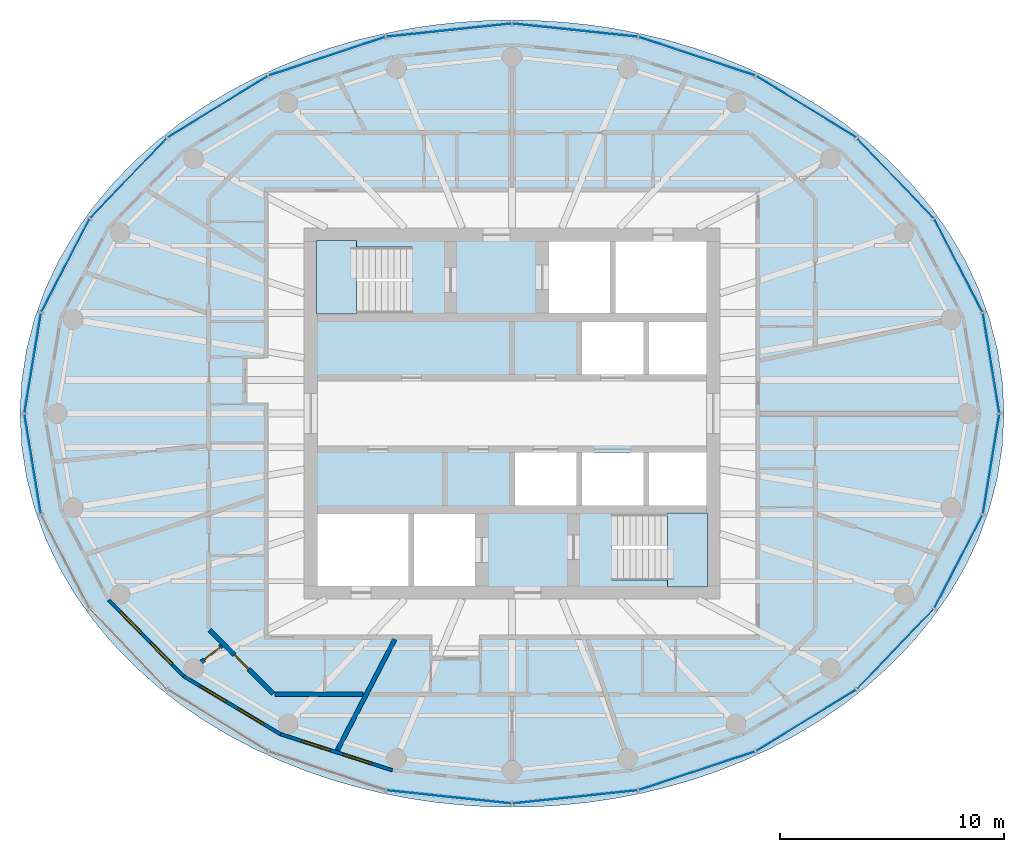
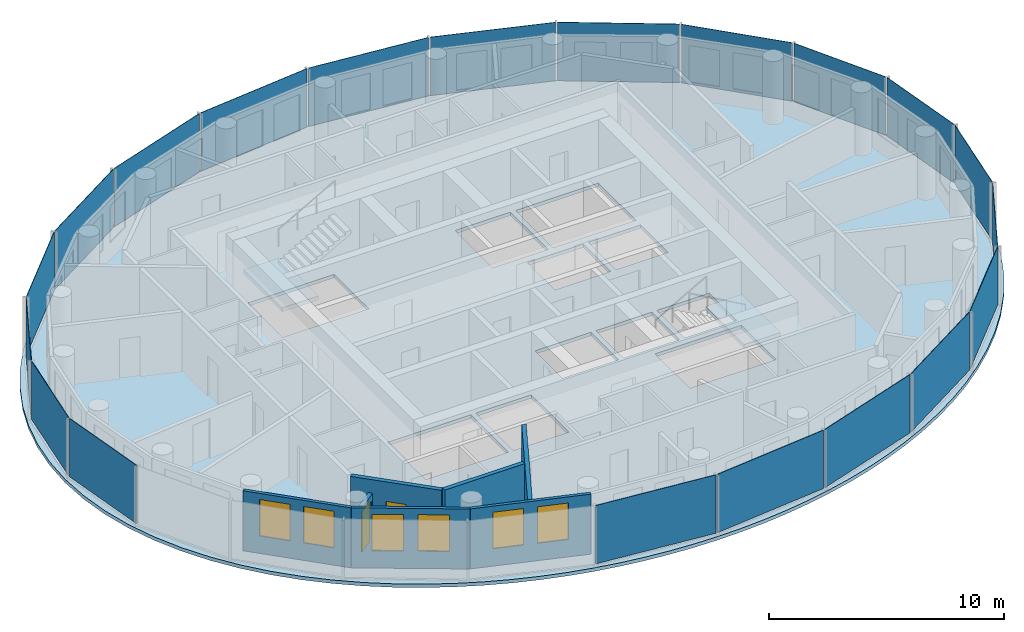
# One storey, part 4 of 11: 20 plates, 7 walls, 6 windows, 3 slabs, 2 doors, 8 openings, 6 elements without a shape of their own.
"""IFC4 building model written with IfcOpenShell, lengths in metres."""

from ifc_helpers import new_model, si_unit, direction, frame, frame_2d, origin, origin_2d, place, context, subcontext, project, spatial, polyline, rectangle, outline, extrude, material, layer, layer_set, type_object, element, fill, aggregate, save


model = new_model("IFC4")

# Units and contexts
model_context = context("Model", 3, precision=1e-05, world=origin(), true_north=direction((0.0, 1.0)))
body_context = subcontext(model_context, "Body", "Model", "MODEL_VIEW")
ifc_project = project(units=[si_unit("LENGTHUNIT", "METRE"), si_unit("AREAUNIT", "SQUARE_METRE"), si_unit("VOLUMEUNIT", "CUBIC_METRE"), si_unit("PLANEANGLEUNIT", "RADIAN"), si_unit("MASSUNIT", "GRAM", prefix="KILO")], contexts=[model_context])

# Site, building, storey
site_placement = place(None, origin())
site = spatial("IfcSite", under=ifc_project, at=site_placement, CompositionType="ELEMENT")
building_placement = place(site_placement, origin())
building = spatial("IfcBuilding", under=site, at=building_placement, Name="Hankou Lantern Tower", CompositionType="ELEMENT")
storey_placement = place(building_placement, frame((0.0, 0.0, 202.800048828125)))
storey = spatial("IfcBuildingStorey", under=building, at=storey_placement, Name="L54", CompositionType="ELEMENT", Elevation=202.800048828125)

# Curtain wall, plates
ifc_material_1 = material(Name="Glass, dark grey tinted laminated", Category="glass")
curtain_wall_type = type_object("IfcCurtainWallType", Name="CWD OUTER SKIN SUITE", PredefinedType="USERDEFINED", material=ifc_material_1)
curtain_wall_1_placement = place(storey_placement, origin())
curtain_wall_1 = element("IfcCurtainWall", 1, at=curtain_wall_1_placement, inside=storey, type_object=curtain_wall_type, Name="CWD L54 OS1", ObjectType="OUTER SKIN SUITE", PredefinedType="USERDEFINED")
ifc_material_2 = material(Name="Glass, dark grey tinted laminated", Category="glass")
ifc_layer_1 = layer(ifc_material_2, 0.02392578125)
ifc_layer_set_1 = layer_set([ifc_layer_1], Name="Glass, dark grey tinted laminated")
plate_type = type_object("IfcPlateType", Name="PN1 OUTER SKIN GLASS PANEL", PredefinedType="CURTAIN_PANEL", material=ifc_layer_set_1)
plate_1_placement = place(storey_placement, frame((21.4287109375, 2.2568359375, 0.079833984375), z_axis=(0.0, 0.0, 1.0), x_axis=(-0.162381515188, 0.986728049427, 0.0)))
plate_1 = element("IfcPlate", 2, at=plate_1_placement, type_object=plate_type, Name="CWD glass panel 1", PredefinedType="CURTAIN_PANEL", context=body_context, shape_type="SweptSolid", body=[
    extrude(rectangle(XDim=4.49462890625, YDim=0.02392578125, at=origin_2d()), origin(), (0.0, 0.0, 1.0), 3.0400390625),
])
plate_2_placement = place(storey_placement, frame((19.96826171875, 6.616943359375, 0.079833984375), z_axis=(0.0, 0.0, 1.0), x_axis=(-0.459791091957, 0.888027112062, 0.0)))
plate_2 = element("IfcPlate", 3, at=plate_2_placement, type_object=plate_type, Name="CWD glass panel 2", PredefinedType="CURTAIN_PANEL", context=body_context, shape_type="SweptSolid", body=[
    extrude(rectangle(XDim=4.656494140625, YDim=0.02392578125, at=origin_2d()), origin(), (0.0, 0.0, 1.0), 3.0400390625),
])
plate_3_placement = place(storey_placement, frame((17.147216796875, 10.52587890625, 0.079833984375), z_axis=(0.0, 0.0, 1.0), x_axis=(-0.692215809936, 0.721690565599, 0.0)))
plate_3 = element("IfcPlate", 4, at=plate_3_placement, type_object=plate_type, Name="CWD glass panel 3", PredefinedType="CURTAIN_PANEL", context=body_context, shape_type="SweptSolid", body=[
    extrude(rectangle(XDim=4.9248046875, YDim=0.02392578125, at=origin_2d()), origin(), (0.0, 0.0, 1.0), 3.0400390625),
])
plate_4_placement = place(storey_placement, frame((13.157470703125, 13.7177734375, 0.079833984375), z_axis=(0.0, 0.0, 1.0), x_axis=(-0.852237151549, 0.523155653242, 0.0)))
plate_4 = element("IfcPlate", 5, at=plate_4_placement, type_object=plate_type, Name="CWD glass panel 4", PredefinedType="CURTAIN_PANEL", context=body_context, shape_type="SweptSolid", body=[
    extrude(rectangle(XDim=5.2177734375, YDim=0.02392578125, at=origin_2d()), origin(), (0.0, 0.0, 1.0), 3.0400390625),
])
plate_5_placement = place(storey_placement, frame((8.271240234375, 15.974609375, 0.079833984375), z_axis=(0.0, 0.0, 1.0), x_axis=(-0.949240677293, 0.31455068999, 0.0)))
plate_5 = element("IfcPlate", 6, at=plate_5_placement, type_object=plate_type, Name="CWD glass panel 5", PredefinedType="CURTAIN_PANEL", context=body_context, shape_type="SweptSolid", body=[
    extrude(rectangle(XDim=5.458984375, YDim=0.02392578125, at=origin_2d()), origin(), (0.0, 0.0, 1.0), 3.0400390625),
])
plate_6_placement = place(storey_placement, frame((2.821044921875, 17.142822265625, 0.079833984375), z_axis=(0.0, 0.0, 1.0), x_axis=(-0.994499359107, 0.104742659579, 0.0)))
plate_6 = element("IfcPlate", 7, at=plate_6_placement, type_object=plate_type, Name="CWD glass panel 6", PredefinedType="CURTAIN_PANEL", context=body_context, shape_type="SweptSolid", body=[
    extrude(rectangle(XDim=5.593505859375, YDim=0.02392578125, at=origin_2d()), origin(), (0.0, 0.0, 1.0), 3.0400390625),
])
aggregate(curtain_wall_1, [plate_1, plate_2, plate_3, plate_4, plate_5, plate_6])

curtain_wall_2_placement = place(storey_placement, origin())
curtain_wall_2 = element("IfcCurtainWall", 8, at=curtain_wall_2_placement, inside=storey, type_object=curtain_wall_type, Name="CWD L54 OS2", ObjectType="OUTER SKIN SUITE", PredefinedType="USERDEFINED")
plate_7_placement = place(storey_placement, frame((-2.821044921875, 17.142822265625, 0.079833984375), z_axis=(0.0, 0.0, 1.0), x_axis=(-0.994499359107, -0.104742659579, 0.0)))
plate_7 = element("IfcPlate", 9, at=plate_7_placement, type_object=plate_type, Name="CWD glass panel 1", PredefinedType="CURTAIN_PANEL", context=body_context, shape_type="SweptSolid", body=[
    extrude(rectangle(XDim=5.593505859375, YDim=0.02392578125, at=origin_2d()), origin(), (0.0, 0.0, 1.0), 3.0400390625),
])
plate_8_placement = place(storey_placement, frame((-8.271240234375, 15.974609375, 0.079833984375), z_axis=(0.0, 0.0, 1.0), x_axis=(-0.949240677293, -0.31455068999, 0.0)))
plate_8 = element("IfcPlate", 10, at=plate_8_placement, type_object=plate_type, Name="CWD glass panel 2", PredefinedType="CURTAIN_PANEL", context=body_context, shape_type="SweptSolid", body=[
    extrude(rectangle(XDim=5.458984375, YDim=0.02392578125, at=origin_2d()), origin(), (0.0, 0.0, 1.0), 3.0400390625),
])
plate_9_placement = place(storey_placement, frame((-13.157470703125, 13.7177734375, 0.079833984375), z_axis=(0.0, 0.0, 1.0), x_axis=(-0.852237151549, -0.523155653242, 0.0)))
plate_9 = element("IfcPlate", 11, at=plate_9_placement, type_object=plate_type, Name="CWD glass panel 3", PredefinedType="CURTAIN_PANEL", context=body_context, shape_type="SweptSolid", body=[
    extrude(rectangle(XDim=5.2177734375, YDim=0.02392578125, at=origin_2d()), origin(), (0.0, 0.0, 1.0), 3.0400390625),
])
plate_10_placement = place(storey_placement, frame((-17.147216796875, 10.52587890625, 0.079833984375), z_axis=(0.0, 0.0, 1.0), x_axis=(-0.692215809936, -0.721690565599, 0.0)))
plate_10 = element("IfcPlate", 12, at=plate_10_placement, type_object=plate_type, Name="CWD glass panel 4", PredefinedType="CURTAIN_PANEL", context=body_context, shape_type="SweptSolid", body=[
    extrude(rectangle(XDim=4.9248046875, YDim=0.02392578125, at=origin_2d()), origin(), (0.0, 0.0, 1.0), 3.0400390625),
])
plate_11_placement = place(storey_placement, frame((-19.96826171875, 6.616943359375, 0.079833984375), z_axis=(0.0, 0.0, 1.0), x_axis=(-0.459791091957, -0.888027112062, 0.0)))
plate_11 = element("IfcPlate", 13, at=plate_11_placement, type_object=plate_type, Name="CWD glass panel 5", PredefinedType="CURTAIN_PANEL", context=body_context, shape_type="SweptSolid", body=[
    extrude(rectangle(XDim=4.656494140625, YDim=0.02392578125, at=origin_2d()), origin(), (0.0, 0.0, 1.0), 3.0400390625),
])
plate_12_placement = place(storey_placement, frame((-21.4287109375, 2.2568359375, 0.079833984375), z_axis=(0.0, 0.0, 1.0), x_axis=(-0.162381515188, -0.986728049427, 0.0)))
plate_12 = element("IfcPlate", 14, at=plate_12_placement, type_object=plate_type, Name="CWD glass panel 6", PredefinedType="CURTAIN_PANEL", context=body_context, shape_type="SweptSolid", body=[
    extrude(rectangle(XDim=4.49462890625, YDim=0.02392578125, at=origin_2d()), origin(), (0.0, 0.0, 1.0), 3.0400390625),
])
aggregate(curtain_wall_2, [plate_7, plate_8, plate_9, plate_10, plate_11, plate_12])

curtain_wall_3_placement = place(storey_placement, origin())
curtain_wall_3 = element("IfcCurtainWall", 15, at=curtain_wall_3_placement, inside=storey, type_object=curtain_wall_type, Name="CWD L54 OS3", ObjectType="OUTER SKIN SUITE", PredefinedType="USERDEFINED")
plate_13_placement = place(storey_placement, frame((-21.4287109375, -2.2568359375, 0.079833984375), z_axis=(0.0, 0.0, 1.0), x_axis=(0.162381515188, -0.986728049427, 0.0)))
plate_13 = element("IfcPlate", 16, at=plate_13_placement, type_object=plate_type, Name="CWD glass panel 1", PredefinedType="CURTAIN_PANEL", context=body_context, shape_type="SweptSolid", body=[
    extrude(rectangle(XDim=4.49462890625, YDim=0.02392578125, at=origin_2d()), origin(), (0.0, 0.0, 1.0), 3.0400390625),
])
plate_14_placement = place(storey_placement, frame((-2.821044921875, -17.142822265625, 0.079833984375), z_axis=(0.0, 0.0, 1.0), x_axis=(0.994499359107, -0.104742659579, 0.0)))
plate_14 = element("IfcPlate", 17, at=plate_14_placement, type_object=plate_type, Name="CWD glass panel 6", PredefinedType="CURTAIN_PANEL", context=body_context, shape_type="SweptSolid", body=[
    extrude(rectangle(XDim=5.593505859375, YDim=0.02392578125, at=origin_2d()), origin(), (0.0, 0.0, 1.0), 3.0400390625),
])
aggregate(curtain_wall_3, [plate_13, plate_14])

curtain_wall_4_placement = place(storey_placement, origin())
curtain_wall_4 = element("IfcCurtainWall", 18, at=curtain_wall_4_placement, inside=storey, type_object=curtain_wall_type, Name="CWD L54 OS4", ObjectType="OUTER SKIN SUITE", PredefinedType="USERDEFINED")
plate_15_placement = place(storey_placement, frame((2.821044921875, -17.142822265625, 0.079833984375), z_axis=(0.0, 0.0, 1.0), x_axis=(0.994499359107, 0.104742659579, 0.0)))
plate_15 = element("IfcPlate", 19, at=plate_15_placement, type_object=plate_type, Name="CWD glass panel 1", PredefinedType="CURTAIN_PANEL", context=body_context, shape_type="SweptSolid", body=[
    extrude(rectangle(XDim=5.593505859375, YDim=0.02392578125, at=origin_2d()), origin(), (0.0, 0.0, 1.0), 3.0400390625),
])
plate_16_placement = place(storey_placement, frame((8.271240234375, -15.974609375, 0.079833984375), z_axis=(0.0, 0.0, 1.0), x_axis=(0.949240677293, 0.31455068999, 0.0)))
plate_16 = element("IfcPlate", 20, at=plate_16_placement, type_object=plate_type, Name="CWD glass panel 2", PredefinedType="CURTAIN_PANEL", context=body_context, shape_type="SweptSolid", body=[
    extrude(rectangle(XDim=5.458984375, YDim=0.02392578125, at=origin_2d()), origin(), (0.0, 0.0, 1.0), 3.0400390625),
])
plate_17_placement = place(storey_placement, frame((13.157470703125, -13.7177734375, 0.079833984375), z_axis=(0.0, 0.0, 1.0), x_axis=(0.852237151549, 0.523155653242, 0.0)))
plate_17 = element("IfcPlate", 21, at=plate_17_placement, type_object=plate_type, Name="CWD glass panel 3", PredefinedType="CURTAIN_PANEL", context=body_context, shape_type="SweptSolid", body=[
    extrude(rectangle(XDim=5.2177734375, YDim=0.02392578125, at=origin_2d()), origin(), (0.0, 0.0, 1.0), 3.0400390625),
])
plate_18_placement = place(storey_placement, frame((17.147216796875, -10.52587890625, 0.079833984375), z_axis=(0.0, 0.0, 1.0), x_axis=(0.692215809936, 0.721690565599, 0.0)))
plate_18 = element("IfcPlate", 22, at=plate_18_placement, type_object=plate_type, Name="CWD glass panel 4", PredefinedType="CURTAIN_PANEL", context=body_context, shape_type="SweptSolid", body=[
    extrude(rectangle(XDim=4.9248046875, YDim=0.02392578125, at=origin_2d()), origin(), (0.0, 0.0, 1.0), 3.0400390625),
])
plate_19_placement = place(storey_placement, frame((19.96826171875, -6.616943359375, 0.079833984375), z_axis=(0.0, 0.0, 1.0), x_axis=(0.459791091957, 0.888027112062, 0.0)))
plate_19 = element("IfcPlate", 23, at=plate_19_placement, type_object=plate_type, Name="CWD glass panel 5", PredefinedType="CURTAIN_PANEL", context=body_context, shape_type="SweptSolid", body=[
    extrude(rectangle(XDim=4.656494140625, YDim=0.02392578125, at=origin_2d()), origin(), (0.0, 0.0, 1.0), 3.0400390625),
])
plate_20_placement = place(storey_placement, frame((21.4287109375, -2.2568359375, 0.079833984375), z_axis=(0.0, 0.0, 1.0), x_axis=(0.162381515188, 0.986728049427, 0.0)))
plate_20 = element("IfcPlate", 24, at=plate_20_placement, type_object=plate_type, Name="CWD glass panel 6", PredefinedType="CURTAIN_PANEL", context=body_context, shape_type="SweptSolid", body=[
    extrude(rectangle(XDim=4.49462890625, YDim=0.02392578125, at=origin_2d()), origin(), (0.0, 0.0, 1.0), 3.0400390625),
])
aggregate(curtain_wall_4, [plate_15, plate_16, plate_17, plate_18, plate_19, plate_20])

# Slab
ifc_material_3 = material(Name="Concrete C50", Category="concrete")
ifc_layer_2 = layer(ifc_material_3, 0.179931640625)
ifc_layer_set_2 = layer_set([ifc_layer_2], Name="Concrete C50")
slab_type_1 = type_object("IfcSlabType", Name="S1 CONCRETE FLOOR SLAB 180", PredefinedType="FLOOR", material=ifc_layer_set_2)
slab_1_placement = place(storey_placement, frame((0.0, 0.0, -0.179931640625)))
element("IfcSlab", 25, at=slab_1_placement, inside=storey, type_object=slab_type_1, Name="Floor slab L54", PredefinedType="FLOOR", context=body_context, shape_type="SweptSolid", body=[
    extrude(outline(polyline([(22.0, 0.0), (21.926513671875, 1.437255859375), (21.7080078125, 2.85791015625), (21.349853515625, 4.246826171875), (20.861083984375, 5.589599609375), (20.252197265625, 6.874755859375), (19.53662109375, 8.09228515625), (18.727783203125, 9.235595703125), (17.83935546875, 10.299560546875), (16.88525390625, 11.2822265625), (15.877197265625, 12.18310546875), (14.82666015625, 13.002685546875), (13.743408203125, 13.743408203125), (12.63525390625, 14.40771484375), (11.509521484375, 14.999267578125), (10.37109375, 15.521728515625), (9.224853515625, 15.97802734375), (8.07373046875, 16.3720703125), (6.920166015625, 16.70654296875), (5.765625, 16.98486328125), (4.611083984375, 17.208984375), (3.457275390625, 17.38134765625), (2.304443359375, 17.503173828125), (1.152099609375, 17.575927734375), (0.0, 17.60009765625), (-1.152099609375, 17.575927734375), (-2.304443359375, 17.503173828125), (-3.457275390625, 17.38134765625), (-4.611083984375, 17.208984375), (-5.765625, 16.98486328125), (-6.920166015625, 16.70654296875), (-8.07373046875, 16.3720703125), (-9.224853515625, 15.97802734375), (-10.37109375, 15.521728515625), (-11.509521484375, 14.999267578125), (-12.63525390625, 14.40771484375), (-13.743408203125, 13.743408203125), (-14.82666015625, 13.002685546875), (-15.877197265625, 12.18310546875), (-16.88525390625, 11.2822265625), (-17.83935546875, 10.299560546875), (-18.727783203125, 9.235595703125), (-19.53662109375, 8.09228515625), (-20.252197265625, 6.874755859375), (-20.861083984375, 5.589599609375), (-21.349853515625, 4.246826171875), (-21.7080078125, 2.85791015625), (-21.926513671875, 1.437255859375), (-22.0, 0.0), (-21.926513671875, -1.437255859375), (-21.7080078125, -2.85791015625), (-21.349853515625, -4.246826171875), (-20.861083984375, -5.589599609375), (-20.252197265625, -6.874755859375), (-19.53662109375, -8.09228515625), (-18.727783203125, -9.235595703125), (-17.83935546875, -10.299560546875), (-16.88525390625, -11.2822265625), (-15.877197265625, -12.18310546875), (-14.82666015625, -13.002685546875), (-13.743408203125, -13.743408203125), (-12.63525390625, -14.40771484375), (-11.509521484375, -14.999267578125), (-10.37109375, -15.521728515625), (-9.224853515625, -15.97802734375), (-8.07373046875, -16.3720703125), (-6.920166015625, -16.70654296875), (-5.765625, -16.98486328125), (-4.611083984375, -17.208984375), (-3.457275390625, -17.38134765625), (-2.304443359375, -17.503173828125), (-1.152099609375, -17.575927734375), (0.0, -17.60009765625), (1.152099609375, -17.575927734375), (2.304443359375, -17.503173828125), (3.457275390625, -17.38134765625), (4.611083984375, -17.208984375), (5.765625, -16.98486328125), (6.920166015625, -16.70654296875), (8.07373046875, -16.3720703125), (9.224853515625, -15.97802734375), (10.37109375, -15.521728515625), (11.509521484375, -14.999267578125), (12.63525390625, -14.40771484375), (13.743408203125, -13.743408203125), (14.82666015625, -13.002685546875), (15.877197265625, -12.18310546875), (16.88525390625, -11.2822265625), (17.83935546875, -10.299560546875), (18.727783203125, -9.235595703125), (19.53662109375, -8.09228515625), (20.252197265625, -6.874755859375), (20.861083984375, -5.589599609375), (21.349853515625, -4.246826171875), (21.7080078125, -2.85791015625), (21.926513671875, -1.437255859375), (22.0, 0.0)]), holes=[polyline([(3.125, 4.10009765625), (5.875, 4.10009765625), (5.875, 1.75), (3.125, 1.75), (3.125, 4.10009765625)]), polyline([(6.125, 4.10009765625), (8.699951171875, 4.10009765625), (8.699951171875, 1.75), (6.125, 1.75), (6.125, 4.10009765625)]), polyline([(0.125, -1.75), (2.875, -1.75), (2.875, -4.10009765625), (0.125, -4.10009765625), (0.125, -1.75)]), polyline([(3.125, -1.75), (5.875, -1.75), (5.875, -4.10009765625), (3.125, -4.10009765625), (3.125, -1.75)]), polyline([(6.125, -1.75), (8.699951171875, -1.75), (8.699951171875, -4.10009765625), (6.125, -4.10009765625), (6.125, -1.75)]), polyline([(1.64990234375, 7.699951171875), (4.375, 7.699951171875), (4.375, 4.5), (1.64990234375, 4.5), (1.64990234375, 7.699951171875)]), polyline([(-4.375, -4.5), (-1.64990234375, -4.5), (-1.64990234375, -7.699951171875), (-4.375, -7.699951171875), (-4.375, -4.5)]), polyline([(-8.699951171875, 7.449951171875), (-4.449951171875, 7.449951171875), (-4.449951171875, 4.5), (-8.699951171875, 4.5), (-8.699951171875, 7.449951171875)]), polyline([(4.449951171875, -4.5), (8.699951171875, -4.5), (8.699951171875, -7.449951171875), (4.449951171875, -7.449951171875), (4.449951171875, -4.5)]), polyline([(4.625, 7.699951171875), (8.699951171875, 7.699951171875), (8.699951171875, 4.5), (4.625, 4.5), (4.625, 7.699951171875)]), polyline([(-8.699951171875, -4.5), (-4.625, -4.5), (-4.625, -7.699951171875), (-8.699951171875, -7.699951171875), (-8.699951171875, -4.5)])]), origin(), (0.0, 0.0, 1.0), 0.179931640625),
])

# Stair, slab
ifc_material_4 = material(Name="Concrete C40", Category="concrete")
stair_type = type_object("IfcStairType", Name="ST33 CORE STAIR 3300 RISE", PredefinedType="HALF_TURN_STAIR", material=ifc_material_4)
stair_1_placement = place(storey_placement, origin())
stair_1 = element("IfcStair", 26, at=stair_1_placement, inside=storey, type_object=stair_type, Name="Stair STA L54", PredefinedType="HALF_TURN_STAIR")
ifc_material_5 = material(Name="Concrete C40", Category="concrete")
ifc_layer_3 = layer(ifc_material_5, 0.199951171875)
ifc_layer_set_3 = layer_set([ifc_layer_3], Name="Concrete C40")
slab_type_2 = type_object("IfcSlabType", Name="SL1 STAIR LANDING 200", PredefinedType="LANDING", material=ifc_layer_set_3)
slab_2_placement = place(storey_placement, frame((0.0, 0.0, 1.371337890625)))
slab_2 = element("IfcSlab", 27, at=slab_2_placement, type_object=slab_type_2, Name="STA landing 1", PredefinedType="LANDING", context=body_context, shape_type="SweptSolid", body=[
    extrude(outline(polyline([(-8.75, 4.449951171875), (-6.949951171875, 4.449951171875), (-6.949951171875, 7.75), (-8.75, 7.75), (-8.75, 4.449951171875)])), origin(), (0.0, 0.0, 1.0), 0.199951171875),
])
aggregate(stair_1, [slab_2])

stair_2_placement = place(storey_placement, origin())
stair_2 = element("IfcStair", 28, at=stair_2_placement, inside=storey, type_object=stair_type, Name="Stair STB L54", PredefinedType="HALF_TURN_STAIR")
slab_3_placement = place(storey_placement, frame((0.0, 0.0, 1.371337890625)))
slab_3 = element("IfcSlab", 29, at=slab_3_placement, type_object=slab_type_2, Name="STB landing 1", PredefinedType="LANDING", context=body_context, shape_type="SweptSolid", body=[
    extrude(outline(polyline([(8.75, -4.449951171875), (6.949951171875, -4.449951171875), (6.949951171875, -7.75), (8.75, -7.75), (8.75, -4.449951171875)])), origin(), (0.0, 0.0, 1.0), 0.199951171875),
])
aggregate(stair_2, [slab_3])

# Wall, openings, windows
ifc_material_6 = material(Name="Aluminium spandrel panel on steel studs", Category="steel")
ifc_layer_4 = layer(ifc_material_6, 0.14990234375)
ifc_layer_set_4 = layer_set([ifc_layer_4], Name="Aluminium spandrel panel on steel studs")
wall_type_1 = type_object("IfcWallType", Name="EW1 INNER SKIN WALL 150", PredefinedType="ELEMENTEDWALL", material=ifc_layer_set_4)
wall_1_placement = place(storey_placement, frame((-18.03955078125, -8.33203125, 0.0), z_axis=(0.0, 0.0, 1.0), x_axis=(0.701527379618, -0.712642501993, 0.0)))
wall_1 = element("IfcWall", 30, at=wall_1_placement, inside=storey, type_object=wall_type_1, Name="Inner skin R15-R16 L54", PredefinedType="ELEMENTEDWALL", context=body_context, shape_type="SweptSolid", body=[
    extrude(rectangle(XDim=4.788330078125, YDim=0.14990234375, at=frame_2d((2.39404296875, 0.0))), origin(), (0.0, 0.0, 1.0), 3.119873046875),
])
opening_1_placement = place(wall_1_placement, frame((0.744140625, 0.0, 0.89990234375)))
opening_1 = element("IfcOpeningElement", 31, at=opening_1_placement, cuts=wall_1, Name="Opening W4", PredefinedType="OPENING", context=body_context, shape_type="SweptSolid", body=[
    extrude(rectangle(XDim=1.35009765625, YDim=1.89990234375, at=frame_2d((0.675048828125, 0.949951171875))), frame((0.0, 0.0849609375, 0.0), z_axis=(0.0, -1.0, 0.0), x_axis=(1.0, 0.0, 0.0)), (0.0, 0.0, 1.0), 0.169921875),
])
opening_2_placement = place(wall_1_placement, frame((2.694091796875, 0.0, 0.89990234375)))
opening_2 = element("IfcOpeningElement", 32, at=opening_2_placement, cuts=wall_1, Name="Opening W4", PredefinedType="OPENING", context=body_context, shape_type="SweptSolid", body=[
    extrude(rectangle(XDim=1.35009765625, YDim=1.89990234375, at=frame_2d((0.675048828125, 0.949951171875))), frame((0.0, 0.0849609375, 0.0), z_axis=(0.0, -1.0, 0.0), x_axis=(1.0, 0.0, 0.0)), (0.0, 0.0, 1.0), 0.169921875),
])
ifc_material_7 = material(Name="Aluminium framed double glazed window", Category="aluminium")
window_type = type_object("IfcWindowType", Name="W4 SUITE WINDOW 1350X1900", PartitioningType="DOUBLE_PANEL_VERTICAL", PredefinedType="WINDOW", material=ifc_material_7)
window_1_placement = place(opening_1_placement, origin())
window_1 = element("IfcWindow", 33, at=window_1_placement, inside=storey, type_object=window_type, Name="Window R15.1 L54", OverallHeight=1.89990234375, OverallWidth=1.35009765625, PartitioningType="SINGLE_PANEL", PredefinedType="WINDOW", context=body_context, shape_type="SweptSolid", body=[
    extrude(rectangle(XDim=1.35009765625, YDim=1.89990234375, at=frame_2d((0.675048828125, 0.949951171875))), frame((0.0, 0.030029296875, 0.0), z_axis=(0.0, -1.0, 0.0), x_axis=(1.0, 0.0, 0.0)), (0.0, 0.0, 1.0), 0.06005859375),
])
fill(opening_1, window_1)
window_2_placement = place(opening_2_placement, origin())
window_2 = element("IfcWindow", 34, at=window_2_placement, inside=storey, type_object=window_type, Name="Window R15.2 L54", OverallHeight=1.89990234375, OverallWidth=1.35009765625, PartitioningType="SINGLE_PANEL", PredefinedType="WINDOW", context=body_context, shape_type="SweptSolid", body=[
    extrude(rectangle(XDim=1.35009765625, YDim=1.89990234375, at=frame_2d((0.675048828125, 0.949951171875))), frame((0.0, 0.030029296875, 0.0), z_axis=(0.0, -1.0, 0.0), x_axis=(1.0, 0.0, 0.0)), (0.0, 0.0, 1.0), 0.06005859375),
])
fill(opening_2, window_2)

wall_2_placement = place(storey_placement, frame((-14.680419921875, -11.744384765625, 0.0), z_axis=(0.0, 0.0, 1.0), x_axis=(0.85822150553, -0.513279502265, 0.0)))
wall_2 = element("IfcWall", 35, at=wall_2_placement, inside=storey, type_object=wall_type_1, Name="Inner skin R16-R17 L54", PredefinedType="ELEMENTEDWALL", context=body_context, shape_type="SweptSolid", body=[
    extrude(rectangle(XDim=5.050048828125, YDim=0.14990234375, at=frame_2d((2.52490234375, 0.0))), origin(), (0.0, 0.0, 1.0), 3.119873046875),
])
opening_3_placement = place(wall_2_placement, frame((0.875, 0.0, 0.89990234375)))
opening_3 = element("IfcOpeningElement", 36, at=opening_3_placement, cuts=wall_2, Name="Opening W4", PredefinedType="OPENING", context=body_context, shape_type="SweptSolid", body=[
    extrude(rectangle(XDim=1.35009765625, YDim=1.89990234375, at=frame_2d((0.675048828125, 0.949951171875))), frame((0.0, 0.0849609375, 0.0), z_axis=(0.0, -1.0, 0.0), x_axis=(1.0, 0.0, 0.0)), (0.0, 0.0, 1.0), 0.169921875),
])
opening_4_placement = place(wall_2_placement, frame((2.824951171875, 0.0, 0.89990234375)))
opening_4 = element("IfcOpeningElement", 37, at=opening_4_placement, cuts=wall_2, Name="Opening W4", PredefinedType="OPENING", context=body_context, shape_type="SweptSolid", body=[
    extrude(rectangle(XDim=1.35009765625, YDim=1.89990234375, at=frame_2d((0.675048828125, 0.949951171875))), frame((0.0, 0.0849609375, 0.0), z_axis=(0.0, -1.0, 0.0), x_axis=(1.0, 0.0, 0.0)), (0.0, 0.0, 1.0), 0.169921875),
])
window_3_placement = place(opening_3_placement, origin())
window_3 = element("IfcWindow", 38, at=window_3_placement, inside=storey, type_object=window_type, Name="Window R16.1 L54", OverallHeight=1.89990234375, OverallWidth=1.35009765625, PartitioningType="SINGLE_PANEL", PredefinedType="WINDOW", context=body_context, shape_type="SweptSolid", body=[
    extrude(rectangle(XDim=1.35009765625, YDim=1.89990234375, at=frame_2d((0.675048828125, 0.949951171875))), frame((0.0, 0.030029296875, 0.0), z_axis=(0.0, -1.0, 0.0), x_axis=(1.0, 0.0, 0.0)), (0.0, 0.0, 1.0), 0.06005859375),
])
fill(opening_3, window_3)
window_4_placement = place(opening_4_placement, origin())
window_4 = element("IfcWindow", 39, at=window_4_placement, inside=storey, type_object=window_type, Name="Window R16.2 L54", OverallHeight=1.89990234375, OverallWidth=1.35009765625, PartitioningType="SINGLE_PANEL", PredefinedType="WINDOW", context=body_context, shape_type="SweptSolid", body=[
    extrude(rectangle(XDim=1.35009765625, YDim=1.89990234375, at=frame_2d((0.675048828125, 0.949951171875))), frame((0.0, 0.030029296875, 0.0), z_axis=(0.0, -1.0, 0.0), x_axis=(1.0, 0.0, 0.0)), (0.0, 0.0, 1.0), 0.06005859375),
])
fill(opening_4, window_4)

wall_3_placement = place(storey_placement, frame((-10.346435546875, -14.33642578125, 0.0), z_axis=(0.0, 0.0, 1.0), x_axis=(0.951644702515, -0.307200846638, 0.0)))
wall_3 = element("IfcWall", 40, at=wall_3_placement, inside=storey, type_object=wall_type_1, Name="Inner skin R17-R18 L54", PredefinedType="ELEMENTEDWALL", context=body_context, shape_type="SweptSolid", body=[
    extrude(rectangle(XDim=5.2578125, YDim=0.14990234375, at=frame_2d((2.62890625, 0.0))), origin(), (0.0, 0.0, 1.0), 3.119873046875),
])
opening_5_placement = place(wall_3_placement, frame((0.97900390625, 0.0, 0.89990234375)))
opening_5 = element("IfcOpeningElement", 41, at=opening_5_placement, cuts=wall_3, Name="Opening W4", PredefinedType="OPENING", context=body_context, shape_type="SweptSolid", body=[
    extrude(rectangle(XDim=1.35009765625, YDim=1.89990234375, at=frame_2d((0.675048828125, 0.949951171875))), frame((0.0, 0.0849609375, 0.0), z_axis=(0.0, -1.0, 0.0), x_axis=(1.0, 0.0, 0.0)), (0.0, 0.0, 1.0), 0.169921875),
])
opening_6_placement = place(wall_3_placement, frame((2.928955078125, 0.0, 0.89990234375)))
opening_6 = element("IfcOpeningElement", 42, at=opening_6_placement, cuts=wall_3, Name="Opening W4", PredefinedType="OPENING", context=body_context, shape_type="SweptSolid", body=[
    extrude(rectangle(XDim=1.35009765625, YDim=1.89990234375, at=frame_2d((0.675048828125, 0.949951171875))), frame((0.0, 0.0849609375, 0.0), z_axis=(0.0, -1.0, 0.0), x_axis=(1.0, 0.0, 0.0)), (0.0, 0.0, 1.0), 0.169921875),
])
window_5_placement = place(opening_5_placement, origin())
window_5 = element("IfcWindow", 43, at=window_5_placement, inside=storey, type_object=window_type, Name="Window R17.1 L54", OverallHeight=1.89990234375, OverallWidth=1.35009765625, PartitioningType="SINGLE_PANEL", PredefinedType="WINDOW", context=body_context, shape_type="SweptSolid", body=[
    extrude(rectangle(XDim=1.35009765625, YDim=1.89990234375, at=frame_2d((0.675048828125, 0.949951171875))), frame((0.0, 0.030029296875, 0.0), z_axis=(0.0, -1.0, 0.0), x_axis=(1.0, 0.0, 0.0)), (0.0, 0.0, 1.0), 0.06005859375),
])
fill(opening_5, window_5)
window_6_placement = place(opening_6_placement, origin())
window_6 = element("IfcWindow", 44, at=window_6_placement, inside=storey, type_object=window_type, Name="Window R17.2 L54", OverallHeight=1.89990234375, OverallWidth=1.35009765625, PartitioningType="SINGLE_PANEL", PredefinedType="WINDOW", context=body_context, shape_type="SweptSolid", body=[
    extrude(rectangle(XDim=1.35009765625, YDim=1.89990234375, at=frame_2d((0.675048828125, 0.949951171875))), frame((0.0, 0.030029296875, 0.0), z_axis=(0.0, -1.0, 0.0), x_axis=(1.0, 0.0, 0.0)), (0.0, 0.0, 1.0), 0.06005859375),
])
fill(opening_6, window_6)

# Wall
ifc_material_8 = material(Name="Masonry lightweight concrete block", Category="masonry")
ifc_layer_5 = layer(ifc_material_8, 0.199951171875)
ifc_layer_set_5 = layer_set([ifc_layer_5], Name="Masonry lightweight concrete block")
wall_type_2 = type_object("IfcWallType", Name="IW1 GUEST ROOM PARTY WALL 200", PredefinedType="PARTITIONING", material=ifc_layer_set_5)
wall_4_placement = place(storey_placement, frame((-5.2412109375, -10.10009765625, 0.0), z_axis=(0.0, 0.0, 1.0), x_axis=(-0.460603196597, -0.887606160008, 0.0)))
element("IfcWall", 45, at=wall_4_placement, inside=storey, type_object=wall_type_2, Name="Party wall R17-R18", PredefinedType="PARTITIONING", context=body_context, shape_type="SweptSolid", body=[
    extrude(rectangle(XDim=5.580322265625, YDim=0.199951171875, at=frame_2d((2.7900390625, 0.0))), origin(), (0.0, 0.0, 1.0), 3.119873046875),
])

# Wall, opening, door
ifc_material_9 = material(Name="Masonry lightweight concrete block", Category="masonry")
ifc_layer_6 = layer(ifc_material_9, 0.199951171875)
ifc_layer_set_6 = layer_set([ifc_layer_6], Name="Masonry lightweight concrete block")
wall_type_3 = type_object("IfcWallType", Name="IW6 SUITE PARTITION 200", PredefinedType="PARTITIONING", material=ifc_layer_set_6)
wall_5_placement = place(storey_placement, frame((-13.520751953125, -9.67919921875, 0.0), z_axis=(0.0, 0.0, 1.0), x_axis=(0.707106781187, -0.707106781187, 0.0)))
wall_5 = element("IfcWall", 46, at=wall_5_placement, inside=storey, type_object=wall_type_3, Name="Suite foyer wall 5405", PredefinedType="PARTITIONING", context=body_context, shape_type="SweptSolid", body=[
    extrude(rectangle(XDim=4.0185546875, YDim=0.199951171875, at=frame_2d((2.00927734375, 0.0))), origin(), (0.0, 0.0, 1.0), 3.119873046875),
])
opening_7_placement = place(wall_5_placement, frame((1.570068359375, 0.0, 0.0)))
opening_7 = element("IfcOpeningElement", 47, at=opening_7_placement, cuts=wall_5, Name="Opening D27", PredefinedType="OPENING", context=body_context, shape_type="SweptSolid", body=[
    extrude(rectangle(XDim=0.89990234375, YDim=2.10009765625, at=frame_2d((0.449951171875, 1.050048828125))), frame((0.0, 0.10986328125, 0.0), z_axis=(0.0, -1.0, 0.0), x_axis=(1.0, 0.0, 0.0)), (0.0, 0.0, 1.0), 0.219970703125),
])
ifc_material_10 = material(Name="Timber door leaf", Category="wood")
door_type = type_object("IfcDoorType", Name="D27 INTERNAL DOOR 900X2100", OperationType="SINGLE_SWING_LEFT", PredefinedType="DOOR", material=ifc_material_10)
door_1_placement = place(opening_7_placement, origin())
door_1 = element("IfcDoor", 48, at=door_1_placement, inside=storey, type_object=door_type, Name="Suite 5405 living room door", OperationType="SINGLE_SWING_RIGHT", OverallHeight=2.10009765625, OverallWidth=0.89990234375, PredefinedType="DOOR", context=body_context, shape_type="SweptSolid", body=[
    extrude(rectangle(XDim=0.89990234375, YDim=2.10009765625, at=frame_2d((0.449951171875, 1.050048828125))), frame((0.0, 0.02490234375, 0.0), z_axis=(0.0, -1.0, 0.0), x_axis=(1.0, 0.0, 0.0)), (0.0, 0.0, 1.0), 0.050048828125),
])
fill(opening_7, door_1)

# Wall
wall_6_placement = place(storey_placement, frame((-10.608642578125, -12.550048828125, 0.0), z_axis=(0.0, 0.0, 1.0), x_axis=(1.0, 0.0, 0.0)))
element("IfcWall", 49, at=wall_6_placement, inside=storey, type_object=wall_type_3, Name="Suite foyer wall 5405", PredefinedType="PARTITIONING", context=body_context, shape_type="SweptSolid", body=[
    extrude(rectangle(XDim=3.947265625, YDim=0.199951171875, at=frame_2d((1.9736328125, 0.0))), origin(), (0.0, 0.0, 1.0), 3.119873046875),
])

# Wall, opening, door
wall_7_placement = place(storey_placement, frame((-12.967529296875, -10.3740234375, 0.0), z_axis=(0.0, 0.0, 1.0), x_axis=(-0.780888968944, -0.624669847345, 0.0)))
wall_7 = element("IfcWall", 50, at=wall_7_placement, inside=storey, type_object=wall_type_3, Name="Suite partition R16", PredefinedType="PARTITIONING", context=body_context, shape_type="SweptSolid", body=[
    extrude(rectangle(XDim=1.181396484375, YDim=0.199951171875, at=frame_2d((0.5908203125, 0.0))), origin(), (0.0, 0.0, 1.0), 2.419921875),
])
opening_8_placement = place(wall_7_placement, frame((0.1201171875, 0.0, 0.0)))
opening_8 = element("IfcOpeningElement", 51, at=opening_8_placement, cuts=wall_7, Name="Opening D27", PredefinedType="OPENING", context=body_context, shape_type="SweptSolid", body=[
    extrude(rectangle(XDim=0.89990234375, YDim=2.10009765625, at=frame_2d((0.449951171875, 1.050048828125))), frame((0.0, 0.10986328125, 0.0), z_axis=(0.0, -1.0, 0.0), x_axis=(1.0, 0.0, 0.0)), (0.0, 0.0, 1.0), 0.219970703125),
])
door_2_placement = place(opening_8_placement, origin())
door_2 = element("IfcDoor", 52, at=door_2_placement, inside=storey, type_object=door_type, Name="Suite 5405 bedroom door", OperationType="SINGLE_SWING_LEFT", OverallHeight=2.10009765625, OverallWidth=0.89990234375, PredefinedType="DOOR", context=body_context, shape_type="SweptSolid", body=[
    extrude(rectangle(XDim=0.89990234375, YDim=2.10009765625, at=frame_2d((0.449951171875, 1.050048828125))), frame((0.0, 0.02490234375, 0.0), z_axis=(0.0, -1.0, 0.0), x_axis=(1.0, 0.0, 0.0)), (0.0, 0.0, 1.0), 0.050048828125),
])
fill(opening_8, door_2)

save(model, "model.ifc")
